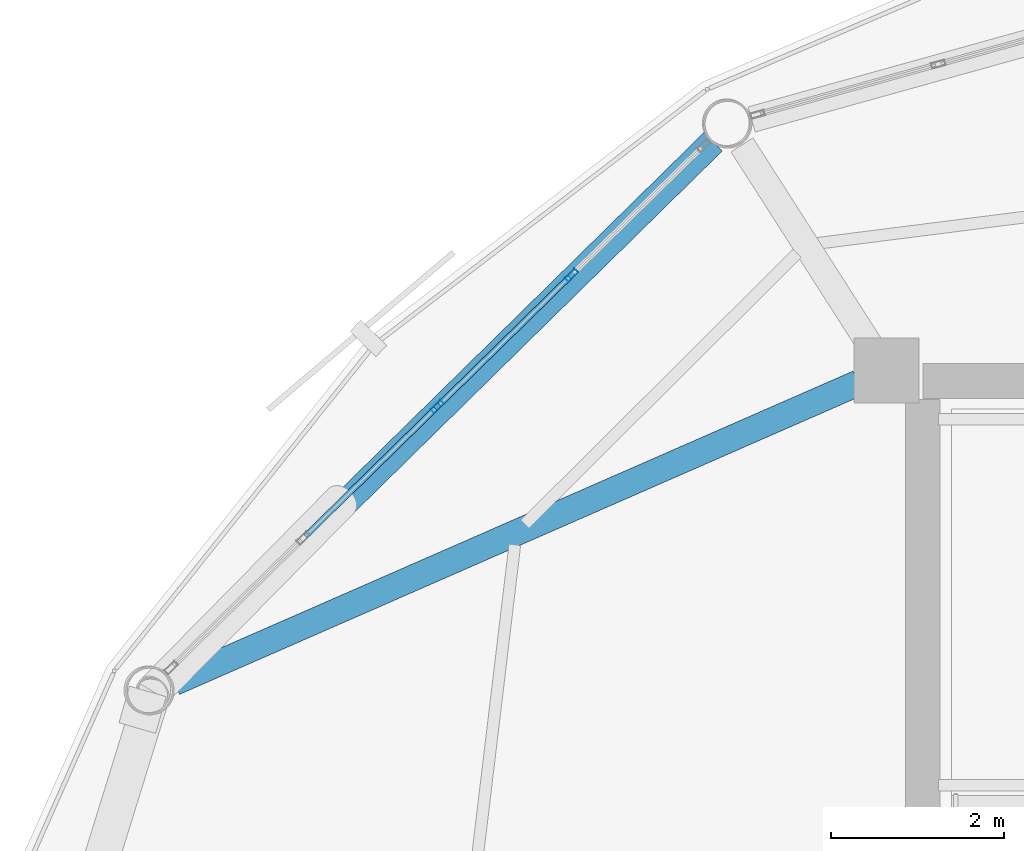
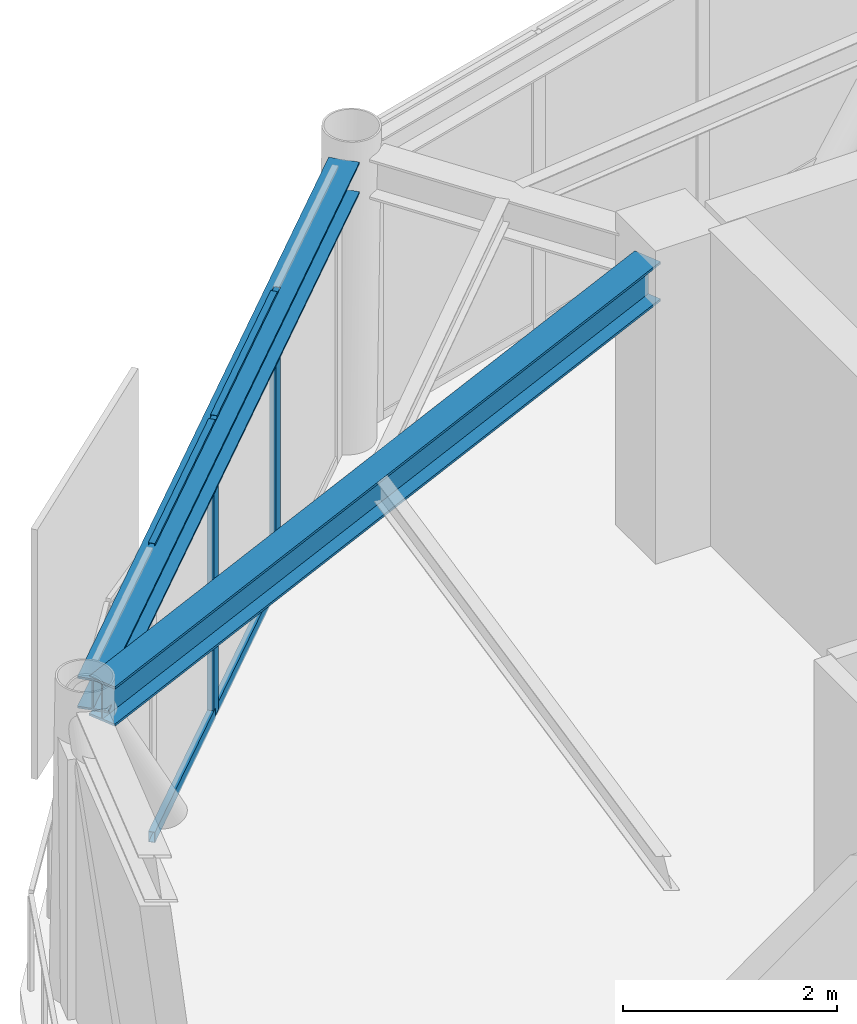
# One storey, part 13 of 26: 6 members, 2 beams, 1 element without a shape of its own.
"""IFC4 building model written with IfcOpenShell, lengths in metres."""

from ifc_helpers import new_model, si_unit, direction, frame, origin, origin_2d, place, context, subcontext, project, spatial, hollow_rectangle, i_section, extrude, material, layer, layer_set, material_profile, profile_set, type_object, element, aggregate, save


model = new_model("IFC4")

# Units and contexts
model_context = context("Model", 3, precision=1e-05, world=origin(), true_north=direction((0.0, 1.0)))
body_context = subcontext(model_context, "Body", "Model", "MODEL_VIEW")
ifc_project = project(units=[si_unit("LENGTHUNIT", "METRE"), si_unit("AREAUNIT", "SQUARE_METRE"), si_unit("VOLUMEUNIT", "CUBIC_METRE"), si_unit("PLANEANGLEUNIT", "RADIAN"), si_unit("MASSUNIT", "GRAM", prefix="KILO")], contexts=[model_context])

# Site, building, storey
site_placement = place(None, origin())
site = spatial("IfcSite", under=ifc_project, at=site_placement, CompositionType="ELEMENT")
building_placement = place(site_placement, origin())
building = spatial("IfcBuilding", under=site, at=building_placement, Name="Varnakorn Sky Granary", CompositionType="ELEMENT")
storey_placement = place(building_placement, frame((0.0, 0.0, 256.199951171875)))
storey = spatial("IfcBuildingStorey", under=building, at=storey_placement, Name="L65", CompositionType="ELEMENT", Elevation=256.199951171875)

# Beams
ifc_material_1 = material(Name="Steel S355JR", Category="steel")
ifc_material_profile_1 = material_profile(ifc_material_1, i_section(OverallWidth=0.300048828125, OverallDepth=0.449951171875, WebThickness=0.013916015625, FlangeThickness=0.02587890625, at=origin_2d()), Name="HE 450 B")
ifc_profile_set_1 = profile_set([ifc_material_profile_1], Name="Steel S355JR")
beam_type_1 = type_object("IfcBeamType", Name="BM-RAD-Z5", PredefinedType="BEAM", material=ifc_profile_set_1)
beam_1_placement = place(storey_placement, frame((-2.7451171875, 12.4775390625, 3.135009765625), z_axis=(-0.916036897269, -0.401094007487, 0.0), x_axis=(0.401094007487, -0.916036897269, 0.0)))
element("IfcBeam", 1, at=beam_1_placement, inside=storey, type_object=beam_type_1, Name="Radial Floor Girder RG06 L65", PredefinedType="BEAM", context=body_context, shape_type="SweptSolid", body=[
    extrude(i_section(OverallWidth=0.300048828125, OverallDepth=0.449951171875, WebThickness=0.013916015625, FlangeThickness=0.02587890625, at=origin_2d()), origin(), (0.0, 0.0, 1.0), 8.60986328125),
])
ifc_material_profile_2 = material_profile(ifc_material_1, i_section(OverallWidth=0.300048828125, OverallDepth=0.360107421875, WebThickness=0.012451171875, FlangeThickness=0.0224609375, at=origin_2d()), Name="HE 360 B")
ifc_profile_set_2 = profile_set([ifc_material_profile_2], Name="Steel S355JR")
beam_type_2 = type_object("IfcBeamType", Name="BM-SPD-Z5", PredefinedType="SPANDREL", material=ifc_profile_set_2)
beam_2_placement = place(storey_placement, frame((-4.417236328125, 15.260986328125, 3.179931640625), z_axis=(-0.713399543588, -0.700757512417, 0.0), x_axis=(0.700757512417, -0.713399543588, 0.0)))
element("IfcBeam", 2, at=beam_2_placement, inside=storey, type_object=beam_type_2, Name="Perimeter Spandrel Ring Beam RB05 L65", PredefinedType="SPANDREL", context=body_context, shape_type="SweptSolid", body=[
    extrude(i_section(OverallWidth=0.300048828125, OverallDepth=0.360107421875, WebThickness=0.012451171875, FlangeThickness=0.0224609375, at=origin_2d()), origin(), (0.0, 0.0, 1.0), 8.786865234375),
])

# Curtain wall, members
ifc_material_2 = material(Name="Anodised Bronze Aluminium Alloy 6063-T6", Category="aluminium")
ifc_layer = layer(ifc_material_2, 0.159912109375, Name="Anodised Bronze Aluminium Alloy 6063-T6")
ifc_layer_set = layer_set([ifc_layer], Name="Anodised Bronze Aluminium Alloy 6063-T6")
curtain_wall_type = type_object("IfcCurtainWallType", Name="CW-OFF-1", PredefinedType="USERDEFINED", material=ifc_layer_set)
curtain_wall_placement = place(storey_placement, origin())
curtain_wall = element("IfcCurtainWall", 3, at=curtain_wall_placement, inside=storey, type_object=curtain_wall_type, Name="Unitised Curtain Wall CW6 CW-L65-B05", ObjectType="CURTAIN WALL", PredefinedType="USERDEFINED")
ifc_material_profile_3 = material_profile(ifc_material_2, hollow_rectangle(XDim=0.06494140625, YDim=0.159912109375, WallThickness=0.00341796875, at=origin_2d()), Name="ALU MULL 65x160")
ifc_profile_set_3 = profile_set([ifc_material_profile_3], Name="Anodised Bronze Aluminium Alloy 6063-T6")
member_type_1 = type_object("IfcMemberType", Name="CW-OFF-1-MULL", PredefinedType="MULLION", material=ifc_profile_set_3)
member_1_placement = place(storey_placement, frame((-7.597900390625, 12.20556640625, 0.0), z_axis=(0.0, 0.0, 1.0), x_axis=(-0.700118147913, 0.71402701557, 0.0)))
member_1 = element("IfcMember", 4, at=member_1_placement, type_object=member_type_1, Name="CW6 mullion 3", PredefinedType="MULLION", context=body_context, shape_type="SweptSolid", body=[
    extrude(hollow_rectangle(XDim=0.06494140625, YDim=0.159912109375, WallThickness=0.00341796875, at=origin_2d()), origin(), (0.0, 0.0, 1.0), 3.360107421875),
])
member_2_placement = place(storey_placement, frame((-6.051513671875, 13.721923828125, 0.0), z_axis=(0.0, 0.0, 1.0), x_axis=(-0.700118147913, 0.71402701557, 0.0)))
member_2 = element("IfcMember", 5, at=member_2_placement, type_object=member_type_1, Name="CW6 mullion 4", PredefinedType="MULLION", context=body_context, shape_type="SweptSolid", body=[
    extrude(hollow_rectangle(XDim=0.06494140625, YDim=0.159912109375, WallThickness=0.00341796875, at=origin_2d()), origin(), (0.0, 0.0, 1.0), 3.360107421875),
])
ifc_material_profile_4 = material_profile(ifc_material_2, hollow_rectangle(XDim=0.06494140625, YDim=0.1201171875, WallThickness=0.00341796875, at=origin_2d()), Name="ALU TRAN 65x120")
ifc_profile_set_4 = profile_set([ifc_material_profile_4], Name="Anodised Bronze Aluminium Alloy 6063-T6")
member_type_2 = type_object("IfcMemberType", Name="CW-OFF-1-TRAN", PredefinedType="USERDEFINED", material=ifc_profile_set_4)
member_3_placement = place(storey_placement, frame((-9.12109375, 10.7119140625, 0.032470703125), z_axis=(0.714045498468, 0.700099297326, 0.0), x_axis=(-0.700099297326, 0.714045498468, 0.0)))
member_3 = element("IfcMember", 6, at=member_3_placement, type_object=member_type_2, Name="CW6 transom 2.1", ObjectType="TRANSOM", PredefinedType="USERDEFINED", context=body_context, shape_type="SweptSolid", body=[
    extrude(hollow_rectangle(XDim=0.06494140625, YDim=0.1201171875, WallThickness=0.00341796875, at=origin_2d()), origin(), (0.0, 0.0, 1.0), 2.1005859375),
])
member_4_placement = place(storey_placement, frame((-9.12109375, 10.7119140625, 3.32763671875), z_axis=(0.714045498468, 0.700099297326, 0.0), x_axis=(-0.700099297326, 0.714045498468, 0.0)))
member_4 = element("IfcMember", 7, at=member_4_placement, type_object=member_type_2, Name="CW6 transom 2.2", ObjectType="TRANSOM", PredefinedType="USERDEFINED", context=body_context, shape_type="SweptSolid", body=[
    extrude(hollow_rectangle(XDim=0.06494140625, YDim=0.1201171875, WallThickness=0.00341796875, at=origin_2d()), origin(), (0.0, 0.0, 1.0), 2.1005859375),
])
member_5_placement = place(storey_placement, frame((-7.57470703125, 12.228271484375, 0.032470703125), z_axis=(0.714045498468, 0.700099297326, 0.0), x_axis=(-0.700099297326, 0.714045498468, 0.0)))
member_5 = element("IfcMember", 8, at=member_5_placement, type_object=member_type_2, Name="CW6 transom 3.1", ObjectType="TRANSOM", PredefinedType="USERDEFINED", context=body_context, shape_type="SweptSolid", body=[
    extrude(hollow_rectangle(XDim=0.06494140625, YDim=0.1201171875, WallThickness=0.00341796875, at=origin_2d()), origin(), (0.0, 0.0, 1.0), 2.1005859375),
])
member_6_placement = place(storey_placement, frame((-7.57470703125, 12.228271484375, 3.32763671875), z_axis=(0.714045498468, 0.700099297326, 0.0), x_axis=(-0.700099297326, 0.714045498468, 0.0)))
member_6 = element("IfcMember", 9, at=member_6_placement, type_object=member_type_2, Name="CW6 transom 3.2", ObjectType="TRANSOM", PredefinedType="USERDEFINED", context=body_context, shape_type="SweptSolid", body=[
    extrude(hollow_rectangle(XDim=0.06494140625, YDim=0.1201171875, WallThickness=0.00341796875, at=origin_2d()), origin(), (0.0, 0.0, 1.0), 2.1005859375),
])
aggregate(curtain_wall, [member_1, member_2, member_3, member_4, member_5, member_6])

save(model, "model.ifc")
